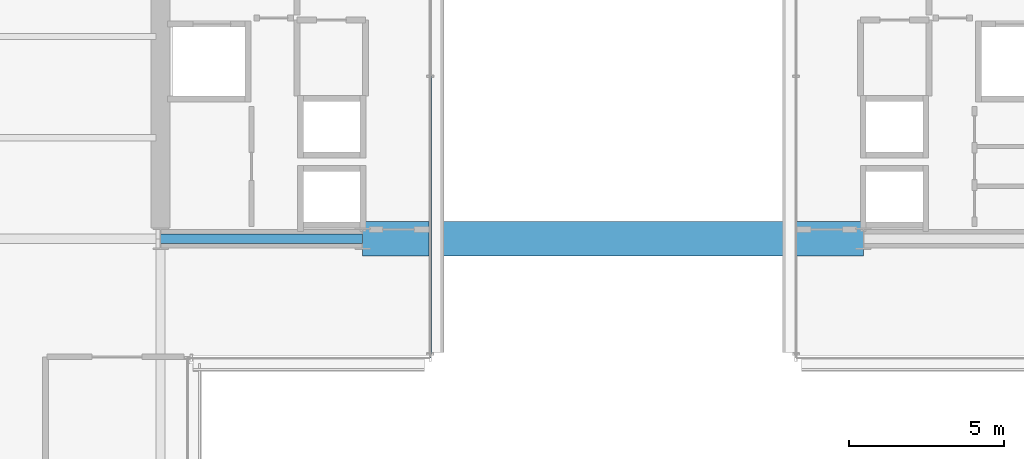
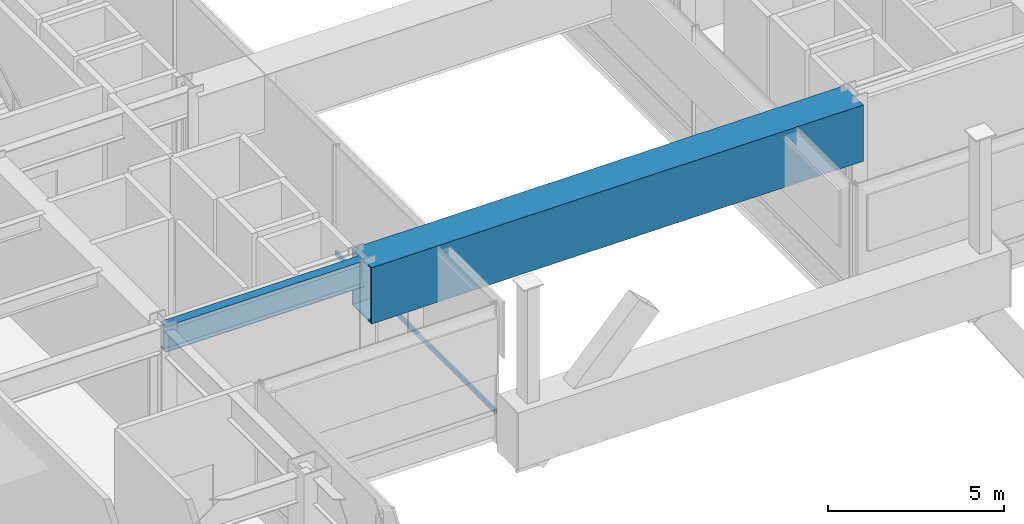
# One storey, part 7 of 42: 2 beams, 1 member, 1 element without a shape of its own.
"""IFC4 building model written with IfcOpenShell, lengths in metres."""

from ifc_helpers import new_model, si_unit, direction, frame, origin, origin_2d, place, context, subcontext, project, spatial, hollow_rectangle, i_section, extrude, material, layer, layer_set, material_profile, profile_set, type_object, element, aggregate, save


model = new_model("IFC4")

# Units and contexts
model_context = context("Model", 3, precision=1e-05, world=origin(), true_north=direction((0.0, 1.0)))
body_context = subcontext(model_context, "Body", "Model", "MODEL_VIEW")
ifc_project = project(units=[si_unit("LENGTHUNIT", "METRE"), si_unit("AREAUNIT", "SQUARE_METRE"), si_unit("VOLUMEUNIT", "CUBIC_METRE"), si_unit("PLANEANGLEUNIT", "RADIAN"), si_unit("MASSUNIT", "GRAM", prefix="KILO")], contexts=[model_context])

# Site, building, storey
site_placement = place(None, origin())
site = spatial("IfcSite", under=ifc_project, at=site_placement, CompositionType="ELEMENT")
building_placement = place(site_placement, origin())
building = spatial("IfcBuilding", under=site, at=building_placement, Name="Brelmoor Portico Tower", CompositionType="ELEMENT")
storey_placement = place(building_placement, frame((0.0, 0.0, 9.60009765625)))
storey = spatial("IfcBuildingStorey", under=building, at=storey_placement, Name="L02", CompositionType="ELEMENT", Elevation=9.60009765625)

# Beams
ifc_material_1 = material(Name="Steel Q355B", Category="steel")
ifc_material_profile_1 = material_profile(ifc_material_1, i_section(OverallWidth=0.300048828125, OverallDepth=0.89990234375, WebThickness=0.01611328125, FlangeThickness=0.028076171875, at=origin_2d()), Name="HN 900x300x16x28")
ifc_profile_set_1 = profile_set([ifc_material_profile_1], Name="Steel Q355B")
beam_type_1 = type_object("IfcBeamType", Name="BM-PG-900", PredefinedType="BEAM", material=ifc_profile_set_1)
beam_1_placement = place(storey_placement, frame((-14.550048828125, -9.75, 4.1298828125), z_axis=(1.0, 0.0, 0.0), x_axis=(0.0, 1.0, 0.0)))
element("IfcBeam", 1, at=beam_1_placement, inside=storey, type_object=beam_type_1, Name="L02 Primary Floor Girder PG-26", PredefinedType="BEAM", context=body_context, shape_type="SweptSolid", body=[
    extrude(i_section(OverallWidth=0.300048828125, OverallDepth=0.89990234375, WebThickness=0.01611328125, FlangeThickness=0.028076171875, at=origin_2d()), origin(), (0.0, 0.0, 1.0), 6.5),
])
ifc_material_2 = material(Name="Steel Q420B", Category="steel")
ifc_material_profile_2 = material_profile(ifc_material_2, hollow_rectangle(XDim=1.10009765625, YDim=1.949951171875, WallThickness=0.054931640625, at=origin_2d()), Name="BOX 1100x1950x55")
ifc_profile_set_2 = profile_set([ifc_material_profile_2], Name="Steel Q420B")
beam_type_2 = type_object("IfcBeamType", Name="BM-TG-ARCH", PredefinedType="BEAM", material=ifc_profile_set_2)
beam_2_placement = place(storey_placement, frame((-8.050048828125, -9.75, 3.60498046875), z_axis=(1.0, 0.0, 0.0), x_axis=(0.0, 1.0, 0.0)))
element("IfcBeam", 2, at=beam_2_placement, inside=storey, type_object=beam_type_2, Name="L02 Portico Arch Transfer Box Girder TG-ARCH-02", PredefinedType="BEAM", context=body_context, shape_type="SweptSolid", body=[
    extrude(hollow_rectangle(XDim=1.10009765625, YDim=1.949951171875, WallThickness=0.054931640625, at=origin_2d()), origin(), (0.0, 0.0, 1.0), 16.10009765625),
])

# Curtain wall, member
ifc_material_3 = material(Name="Anodised Aluminium Alloy 6063-T6", Category="aluminium")
ifc_layer = layer(ifc_material_3, 0.179931640625)
ifc_layer_set = layer_set([ifc_layer], Name="Anodised Aluminium Alloy 6063-T6")
curtain_wall_type = type_object("IfcCurtainWallType", Name="CW-PODIUM-ARCH", PredefinedType="NOTDEFINED", material=ifc_layer_set)
curtain_wall_placement = place(storey_placement, origin())
curtain_wall = element("IfcCurtainWall", 3, at=curtain_wall_placement, inside=storey, type_object=curtain_wall_type, Name="L02 Curtain Wall CW-L02-15", PredefinedType="NOTDEFINED")
ifc_material_profile_3 = material_profile(ifc_material_3, hollow_rectangle(XDim=0.070068359375, YDim=0.159912109375, WallThickness=0.00390625, at=origin_2d()), Name="ALU TRANSOM 70x160")
ifc_profile_set_3 = profile_set([ifc_material_profile_3], Name="Anodised Aluminium Alloy 6063-T6")
member_type = type_object("IfcMemberType", Name="MB-CW-TRAN-160", PredefinedType="USERDEFINED", material=ifc_profile_set_3)
member_placement = place(storey_placement, frame((-5.8798828125, -13.580078125, 0.849853515625), z_axis=(0.0, 1.0, 0.0), x_axis=(-1.0, 0.0, 0.0)))
member = element("IfcMember", 4, at=member_placement, type_object=member_type, Name="CW-L02-15 Transom 1-00", ObjectType="TRANSOM", PredefinedType="USERDEFINED", context=body_context, shape_type="SweptSolid", body=[
    extrude(hollow_rectangle(XDim=0.070068359375, YDim=0.159912109375, WallThickness=0.00390625, at=origin_2d()), origin(), (0.0, 0.0, 1.0), 9.053466796875),
])
aggregate(curtain_wall, [member])

save(model, "model.ifc")
